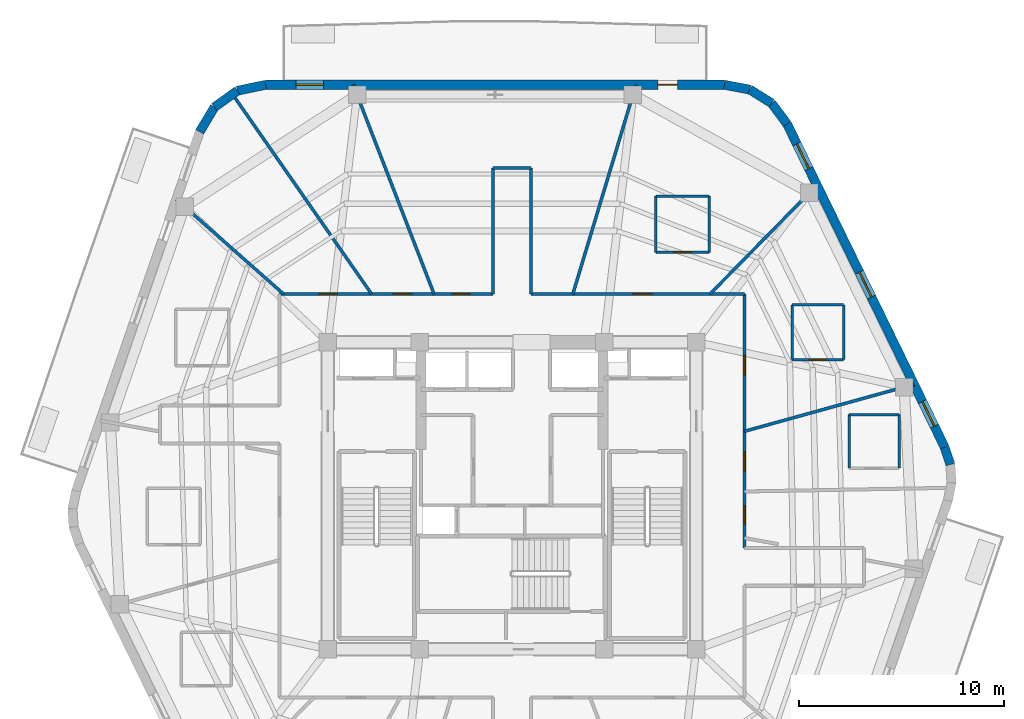
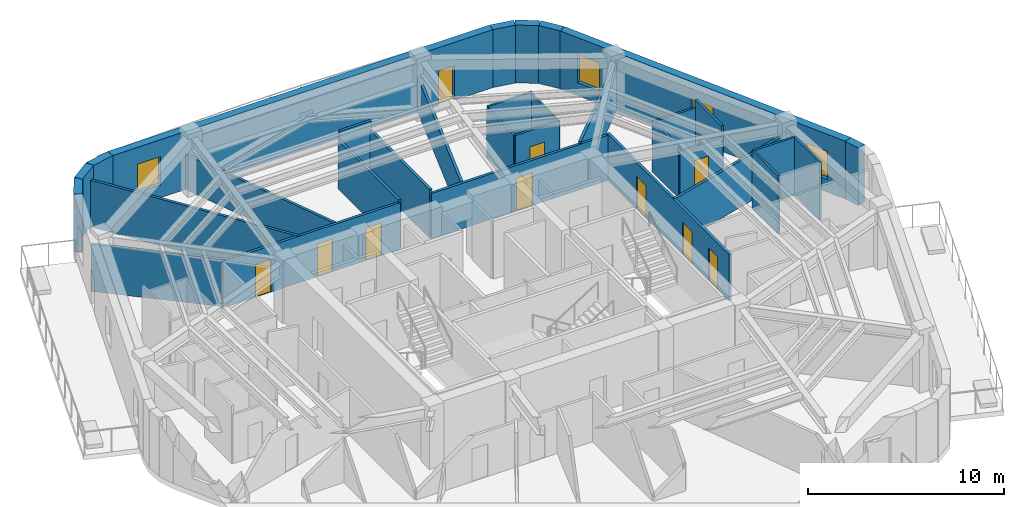
# One storey, part 6 of 9: 32 walls, 10 doors, 4 windows, 14 openings.
"""IFC4 building model written with IfcOpenShell, lengths in metres."""

from ifc_helpers import new_model, si_unit, direction, frame, frame_2d, origin, place, context, subcontext, project, spatial, rectangle, extrude, material, layer, layer_set, type_object, element, fill, save


model = new_model("IFC4")

# Units and contexts
model_context = context("Model", 3, precision=1e-05, world=origin(), true_north=direction((0.0, 1.0)))
body_context = subcontext(model_context, "Body", "Model", "MODEL_VIEW")
ifc_project = project(units=[si_unit("LENGTHUNIT", "METRE"), si_unit("AREAUNIT", "SQUARE_METRE"), si_unit("VOLUMEUNIT", "CUBIC_METRE"), si_unit("PLANEANGLEUNIT", "RADIAN"), si_unit("MASSUNIT", "GRAM", prefix="KILO")], contexts=[model_context])

# Site, building, storey
site_placement = place(None, origin())
site = spatial("IfcSite", under=ifc_project, at=site_placement, CompositionType="ELEMENT")
building_placement = place(site_placement, origin())
building = spatial("IfcBuilding", under=site, at=building_placement, Name="Kilnhurst Terrace Hotel", CompositionType="ELEMENT")
storey_placement = place(building_placement, frame((0.0, 0.0, 297.60009765625)))
storey = spatial("IfcBuildingStorey", under=building, at=storey_placement, Name="L74", CompositionType="ELEMENT", Elevation=297.60009765625)

# Walls
ifc_material_1 = material(Name="Precast concrete C40/50", Category="concrete")
ifc_layer_1 = layer(ifc_material_1, 0.449951171875, Name="Precast concrete C40/50")
ifc_layer_set_1 = layer_set([ifc_layer_1], Name="Precast concrete C40/50")
wall_type_1 = type_object("IfcWallType", Name="WL-BRK-450", PredefinedType="SOLIDWALL", material=ifc_layer_set_1)
wall_1_placement = place(storey_placement, frame((21.422119140625, 1.52197265625, 0.0), z_axis=(0.0, 0.0, 1.0), x_axis=(-0.316964162323, 0.94843751497, 0.0)))
element("IfcWall", 1, at=wall_1_placement, inside=storey, type_object=wall_type_1, Name="L74 Rounded Corner Brick Wall C3.3", PredefinedType="SOLIDWALL", context=body_context, shape_type="SweptSolid", body=[
    extrude(rectangle(XDim=0.89501953125, YDim=0.449951171875, at=frame_2d((0.447509765625, 0.0))), origin(), (0.0, 0.0, 1.0), 3.599853515625),
])
wall_2_placement = place(storey_placement, frame((13.44287109375, 18.159912109375, 0.0), z_axis=(0.0, 0.0, 1.0), x_axis=(-0.597042425808, 0.802209661987, 0.0)))
element("IfcWall", 2, at=wall_2_placement, inside=storey, type_object=wall_type_1, Name="L74 Rounded Corner Brick Wall C4.1", PredefinedType="SOLIDWALL", context=body_context, shape_type="SweptSolid", body=[
    extrude(rectangle(XDim=1.269775390625, YDim=0.449951171875, at=frame_2d((0.634765625, 0.0))), origin(), (0.0, 0.0, 1.0), 3.599853515625),
])
wall_3_placement = place(storey_placement, frame((12.684814453125, 19.178466796875, 0.0), z_axis=(0.0, 0.0, 1.0), x_axis=(-0.848031272749, 0.529946186362, 0.0)))
element("IfcWall", 3, at=wall_3_placement, inside=storey, type_object=wall_type_1, Name="L74 Rounded Corner Brick Wall C4.2", PredefinedType="SOLIDWALL", context=body_context, shape_type="SweptSolid", body=[
    extrude(rectangle(XDim=1.248046875, YDim=0.449951171875, at=frame_2d((0.6240234375, 0.0))), origin(), (0.0, 0.0, 1.0), 3.599853515625),
])
wall_4_placement = place(storey_placement, frame((11.62646484375, 19.83984375, 0.0), z_axis=(0.0, 0.0, 1.0), x_axis=(-0.982701956681, 0.185194126083, 0.0)))
element("IfcWall", 4, at=wall_4_placement, inside=storey, type_object=wall_type_1, Name="L74 Rounded Corner Brick Wall C4.3", PredefinedType="SOLIDWALL", context=body_context, shape_type="SweptSolid", body=[
    extrude(rectangle(XDim=1.26953125, YDim=0.449951171875, at=frame_2d((0.634765625, 0.0))), origin(), (0.0, 0.0, 1.0), 3.599853515625),
])
wall_5_placement = place(storey_placement, frame((-12.038330078125, 20.074951171875, 0.0), z_axis=(0.0, 0.0, 1.0), x_axis=(-0.978750122553, -0.205056571711, 0.0)))
element("IfcWall", 5, at=wall_5_placement, inside=storey, type_object=wall_type_1, Name="L74 Rounded Corner Brick Wall C5.1", PredefinedType="SOLIDWALL", context=body_context, shape_type="SweptSolid", body=[
    extrude(rectangle(XDim=1.406005859375, YDim=0.449951171875, at=frame_2d((0.703125, 0.0))), origin(), (0.0, 0.0, 1.0), 3.599853515625),
])
wall_6_placement = place(storey_placement, frame((-13.41455078125, 19.78662109375, 0.0), z_axis=(0.0, 0.0, 1.0), x_axis=(-0.814055493997, -0.580787097561, 0.0)))
element("IfcWall", 6, at=wall_6_placement, inside=storey, type_object=wall_type_1, Name="L74 Rounded Corner Brick Wall C5.2", PredefinedType="SOLIDWALL", context=body_context, shape_type="SweptSolid", body=[
    extrude(rectangle(XDim=1.382568359375, YDim=0.449951171875, at=frame_2d((0.69140625, 0.0))), origin(), (0.0, 0.0, 1.0), 3.599853515625),
])
wall_7_placement = place(storey_placement, frame((-14.5400390625, 18.983642578125, 0.0), z_axis=(0.0, 0.0, 1.0), x_axis=(-0.512374906623, -0.858761873317, 0.0)))
element("IfcWall", 7, at=wall_7_placement, inside=storey, type_object=wall_type_1, Name="L74 Rounded Corner Brick Wall C5.3", PredefinedType="SOLIDWALL", context=body_context, shape_type="SweptSolid", body=[
    extrude(rectangle(XDim=1.406005859375, YDim=0.449951171875, at=frame_2d((0.703125, 0.0))), origin(), (0.0, 0.0, 1.0), 3.599853515625),
])

# Wall, openings, windows
wall_8_placement = place(storey_placement, frame((21.138427734375, 2.370849609375, 0.0), z_axis=(0.0, 0.0, 1.0), x_axis=(-0.438128124058, 0.89891253574, 0.0)))
wall_8 = element("IfcWall", 8, at=wall_8_placement, inside=storey, type_object=wall_type_1, Name="L74 Exterior Brick Facade Wall F3", PredefinedType="SOLIDWALL", context=body_context, shape_type="SweptSolid", body=[
    extrude(rectangle(XDim=17.564697265625, YDim=0.449951171875, at=frame_2d((8.7822265625, 0.0))), origin(), (0.0, 0.0, 1.0), 3.599853515625),
])
opening_1_placement = place(wall_8_placement, frame((1.133056640625, 0.0, 0.800048828125)))
opening_1 = element("IfcOpeningElement", 9, at=opening_1_placement, cuts=wall_8, Name="Opening W-06", PredefinedType="OPENING", context=body_context, shape_type="SweptSolid", body=[
    extrude(rectangle(XDim=1.35009765625, YDim=1.75, at=frame_2d((0.675048828125, 0.875))), frame((0.0, 0.23486328125, 0.0), z_axis=(0.0, -1.0, 0.0), x_axis=(1.0, 0.0, 0.0)), (0.0, 0.0, 1.0), 0.469970703125),
])
opening_2_placement = place(wall_8_placement, frame((8.157958984375, 0.0, 0.800048828125)))
opening_2 = element("IfcOpeningElement", 10, at=opening_2_placement, cuts=wall_8, Name="Opening W-06", PredefinedType="OPENING", context=body_context, shape_type="SweptSolid", body=[
    extrude(rectangle(XDim=1.35009765625, YDim=1.75, at=frame_2d((0.675048828125, 0.875))), frame((0.0, 0.23486328125, 0.0), z_axis=(0.0, -1.0, 0.0), x_axis=(1.0, 0.0, 0.0)), (0.0, 0.0, 1.0), 0.469970703125),
])
opening_3_placement = place(wall_8_placement, frame((15.132080078125, 0.0, 0.800048828125)))
opening_3 = element("IfcOpeningElement", 11, at=opening_3_placement, cuts=wall_8, Name="Opening W-06", PredefinedType="OPENING", context=body_context, shape_type="SweptSolid", body=[
    extrude(rectangle(XDim=1.35009765625, YDim=1.75, at=frame_2d((0.675048828125, 0.875))), frame((0.0, 0.23486328125, 0.0), z_axis=(0.0, -1.0, 0.0), x_axis=(1.0, 0.0, 0.0)), (0.0, 0.0, 1.0), 0.469970703125),
])
ifc_material_2 = material(Name="Thermally Broken Bronze Aluminium Alloy 6063-T6 and Low-E Glass", Category="aluminium")
window_type = type_object("IfcWindowType", Name="WIN-1350X1750", PartitioningType="SINGLE_PANEL", PredefinedType="WINDOW", material=ifc_material_2)
window_1_placement = place(opening_1_placement, origin())
window_1 = element("IfcWindow", 12, at=window_1_placement, inside=storey, type_object=window_type, Name="L74 Deep-Set Masonry Window F3.1", OverallHeight=1.75, OverallWidth=1.35009765625, PartitioningType="SINGLE_PANEL", PredefinedType="WINDOW", context=body_context, shape_type="SweptSolid", body=[
    extrude(rectangle(XDim=1.35009765625, YDim=1.75, at=frame_2d((0.675048828125, 0.875))), frame((0.0, 0.030029296875, 0.0), z_axis=(0.0, -1.0, 0.0), x_axis=(1.0, 0.0, 0.0)), (0.0, 0.0, 1.0), 0.06005859375),
])
fill(opening_1, window_1)
window_2_placement = place(opening_2_placement, origin())
window_2 = element("IfcWindow", 13, at=window_2_placement, inside=storey, type_object=window_type, Name="L74 Deep-Set Masonry Window F3.2", OverallHeight=1.75, OverallWidth=1.35009765625, PartitioningType="SINGLE_PANEL", PredefinedType="WINDOW", context=body_context, shape_type="SweptSolid", body=[
    extrude(rectangle(XDim=1.35009765625, YDim=1.75, at=frame_2d((0.675048828125, 0.875))), frame((0.0, 0.030029296875, 0.0), z_axis=(0.0, -1.0, 0.0), x_axis=(1.0, 0.0, 0.0)), (0.0, 0.0, 1.0), 0.06005859375),
])
fill(opening_2, window_2)
window_3_placement = place(opening_3_placement, origin())
window_3 = element("IfcWindow", 14, at=window_3_placement, inside=storey, type_object=window_type, Name="L74 Deep-Set Masonry Window F3.3", OverallHeight=1.75, OverallWidth=1.35009765625, PartitioningType="SINGLE_PANEL", PredefinedType="WINDOW", context=body_context, shape_type="SweptSolid", body=[
    extrude(rectangle(XDim=1.35009765625, YDim=1.75, at=frame_2d((0.675048828125, 0.875))), frame((0.0, 0.030029296875, 0.0), z_axis=(0.0, -1.0, 0.0), x_axis=(1.0, 0.0, 0.0)), (0.0, 0.0, 1.0), 0.06005859375),
])
fill(opening_3, window_3)

# Wall, openings, door, window
wall_9_placement = place(storey_placement, frame((10.37890625, 20.074951171875, 0.0), z_axis=(0.0, 0.0, 1.0), x_axis=(-1.0, 0.0, 0.0)))
wall_9 = element("IfcWall", 15, at=wall_9_placement, inside=storey, type_object=wall_type_1, Name="L74 Exterior Brick Facade Wall F4", PredefinedType="SOLIDWALL", context=body_context, shape_type="SweptSolid", body=[
    extrude(rectangle(XDim=22.417236328125, YDim=0.449951171875, at=frame_2d((11.20849609375, 0.0))), origin(), (0.0, 0.0, 1.0), 3.599853515625),
])
opening_4_placement = place(wall_9_placement, frame((2.302001953125, 0.0, 0.0)))
opening_4 = element("IfcOpeningElement", 16, at=opening_4_placement, cuts=wall_9, Name="Opening BD-950", PredefinedType="OPENING", context=body_context, shape_type="SweptSolid", body=[
    extrude(rectangle(XDim=0.949951171875, YDim=2.14990234375, at=frame_2d((0.47509765625, 1.074951171875))), frame((0.0, 0.23486328125, 0.0), z_axis=(0.0, -1.0, 0.0), x_axis=(1.0, 0.0, 0.0)), (0.0, 0.0, 1.0), 0.469970703125),
])
opening_5_placement = place(wall_9_placement, frame((19.5869140625, 0.0, 0.800048828125)))
opening_5 = element("IfcOpeningElement", 17, at=opening_5_placement, cuts=wall_9, Name="Opening W-06", PredefinedType="OPENING", context=body_context, shape_type="SweptSolid", body=[
    extrude(rectangle(XDim=1.35009765625, YDim=1.75, at=frame_2d((0.675048828125, 0.875))), frame((0.0, 0.23486328125, 0.0), z_axis=(0.0, -1.0, 0.0), x_axis=(1.0, 0.0, 0.0)), (0.0, 0.0, 1.0), 0.469970703125),
])
ifc_material_3 = material(Name="Thermally Broken Bronze Aluminium Alloy 6063-T6 and Laminated Glass", Category="aluminium")
door_type_1 = type_object("IfcDoorType", Name="DR-EXT-BAL-950", OperationType="NOTDEFINED", PredefinedType="DOOR", material=ifc_material_3)
door_1_placement = place(opening_4_placement, origin())
door_1 = element("IfcDoor", 18, at=door_1_placement, inside=storey, type_object=door_type_1, Name="L74 Planted Balcony Door BAL-L2A", OperationType="SINGLE_SWING_RIGHT", OverallHeight=2.14990234375, OverallWidth=0.949951171875, PredefinedType="DOOR", context=body_context, shape_type="SweptSolid", body=[
    extrude(rectangle(XDim=0.949951171875, YDim=2.14990234375, at=frame_2d((0.47509765625, 1.074951171875))), frame((0.0, 0.02490234375, 0.0), z_axis=(0.0, -1.0, 0.0), x_axis=(1.0, 0.0, 0.0)), (0.0, 0.0, 1.0), 0.050048828125),
])
fill(opening_4, door_1)
window_4_placement = place(opening_5_placement, origin())
window_4 = element("IfcWindow", 19, at=window_4_placement, inside=storey, type_object=window_type, Name="L74 Deep-Set Masonry Window F4.1", OverallHeight=1.75, OverallWidth=1.35009765625, PartitioningType="SINGLE_PANEL", PredefinedType="WINDOW", context=body_context, shape_type="SweptSolid", body=[
    extrude(rectangle(XDim=1.35009765625, YDim=1.75, at=frame_2d((0.675048828125, 0.875))), frame((0.0, 0.030029296875, 0.0), z_axis=(0.0, -1.0, 0.0), x_axis=(1.0, 0.0, 0.0)), (0.0, 0.0, 1.0), 0.06005859375),
])
fill(opening_5, window_4)

# Wall, openings, doors
ifc_material_4 = material(Name="Acoustic Double-Gypsum Corridor Partition Assembly")
ifc_layer_2 = layer(ifc_material_4, 0.14990234375, Name="Acoustic Double-Gypsum Corridor Partition Assembly")
ifc_layer_set_2 = layer_set([ifc_layer_2], Name="Acoustic Double-Gypsum Corridor Partition Assembly")
wall_type_2 = type_object("IfcWallType", Name="WL-COR-150", PredefinedType="PARTITIONING", material=ifc_layer_set_2)
wall_10_placement = place(storey_placement, frame((-11.35009765625, 9.85009765625, 0.0), z_axis=(0.0, 0.0, 1.0), x_axis=(1.0, 0.0, 0.0)))
wall_10 = element("IfcWall", 20, at=wall_10_placement, inside=storey, type_object=wall_type_2, Name="L74 Interior Wall WL-L74-COR-06", PredefinedType="PARTITIONING", context=body_context, shape_type="SweptSolid", body=[
    extrude(rectangle(XDim=10.43017578125, YDim=0.14990234375, at=frame_2d((5.215087890625, 0.0))), origin(), (0.0, 0.0, 1.0), 2.89404296875),
])
opening_6_placement = place(wall_10_placement, frame((8.406982421875, 0.0, 0.0)))
opening_6 = element("IfcOpeningElement", 21, at=opening_6_placement, cuts=wall_10, Name="Opening D-60C", PredefinedType="OPENING", context=body_context, shape_type="SweptSolid", body=[
    extrude(rectangle(XDim=0.89990234375, YDim=2.030029296875, at=frame_2d((0.449951171875, 1.01513671875))), frame((0.0, 0.0849609375, 0.0), z_axis=(0.0, -1.0, 0.0), x_axis=(1.0, 0.0, 0.0)), (0.0, 0.0, 1.0), 0.169921875),
])
opening_7_placement = place(wall_10_placement, frame((5.541015625, 0.0, 0.0)))
opening_7 = element("IfcOpeningElement", 22, at=opening_7_placement, cuts=wall_10, Name="Opening D-60C", PredefinedType="OPENING", context=body_context, shape_type="SweptSolid", body=[
    extrude(rectangle(XDim=0.89990234375, YDim=2.030029296875, at=frame_2d((0.449951171875, 1.01513671875))), frame((0.0, 0.0849609375, 0.0), z_axis=(0.0, -1.0, 0.0), x_axis=(1.0, 0.0, 0.0)), (0.0, 0.0, 1.0), 0.169921875),
])
opening_8_placement = place(wall_10_placement, frame((1.916015625, 0.0, 0.0)))
opening_8 = element("IfcOpeningElement", 23, at=opening_8_placement, cuts=wall_10, Name="Opening D-60C", PredefinedType="OPENING", context=body_context, shape_type="SweptSolid", body=[
    extrude(rectangle(XDim=0.89990234375, YDim=2.030029296875, at=frame_2d((0.449951171875, 1.01513671875))), frame((0.0, 0.0849609375, 0.0), z_axis=(0.0, -1.0, 0.0), x_axis=(1.0, 0.0, 0.0)), (0.0, 0.0, 1.0), 0.169921875),
])
ifc_material_5 = material(Name="Painted Solid-Core Service Fire Door")
door_type_2 = type_object("IfcDoorType", Name="DR-FD60-900", OperationType="NOTDEFINED", PredefinedType="DOOR", material=ifc_material_5)
door_2_placement = place(opening_6_placement, origin())
door_2 = element("IfcDoor", 24, at=door_2_placement, inside=storey, type_object=door_type_2, Name="L74 Executive Work Office Door 4", OperationType="SINGLE_SWING_RIGHT", OverallHeight=2.030029296875, OverallWidth=0.89990234375, PredefinedType="DOOR", context=body_context, shape_type="SweptSolid", body=[
    extrude(rectangle(XDim=0.89990234375, YDim=2.030029296875, at=frame_2d((0.449951171875, 1.01513671875))), frame((0.0, 0.02490234375, 0.0), z_axis=(0.0, -1.0, 0.0), x_axis=(1.0, 0.0, 0.0)), (0.0, 0.0, 1.0), 0.050048828125),
])
fill(opening_6, door_2)
door_3_placement = place(opening_7_placement, origin())
door_3 = element("IfcDoor", 25, at=door_3_placement, inside=storey, type_object=door_type_2, Name="L74 Executive Work Office Door 5", OperationType="SINGLE_SWING_LEFT", OverallHeight=2.030029296875, OverallWidth=0.89990234375, PredefinedType="DOOR", context=body_context, shape_type="SweptSolid", body=[
    extrude(rectangle(XDim=0.89990234375, YDim=2.030029296875, at=frame_2d((0.449951171875, 1.01513671875))), frame((0.0, 0.02490234375, 0.0), z_axis=(0.0, -1.0, 0.0), x_axis=(1.0, 0.0, 0.0)), (0.0, 0.0, 1.0), 0.050048828125),
])
fill(opening_7, door_3)
door_4_placement = place(opening_8_placement, origin())
door_4 = element("IfcDoor", 26, at=door_4_placement, inside=storey, type_object=door_type_2, Name="L74 Botanical Reading Lounge Door 6", OperationType="SINGLE_SWING_RIGHT", OverallHeight=2.030029296875, OverallWidth=0.89990234375, PredefinedType="DOOR", context=body_context, shape_type="SweptSolid", body=[
    extrude(rectangle(XDim=0.89990234375, YDim=2.030029296875, at=frame_2d((0.449951171875, 1.01513671875))), frame((0.0, 0.02490234375, 0.0), z_axis=(0.0, -1.0, 0.0), x_axis=(1.0, 0.0, 0.0)), (0.0, 0.0, 1.0), 0.050048828125),
])
fill(opening_8, door_4)

# Walls
wall_11_placement = place(storey_placement, frame((-0.919921875, 9.85009765625, 0.0), z_axis=(0.0, 0.0, 1.0), x_axis=(0.0, 1.0, 0.0)))
element("IfcWall", 27, at=wall_11_placement, inside=storey, type_object=wall_type_2, Name="L74 Interior Wall WL-L74-COR-07", PredefinedType="PARTITIONING", context=body_context, shape_type="SweptSolid", body=[
    extrude(rectangle(XDim=6.14990234375, YDim=0.14990234375, at=frame_2d((3.074951171875, 0.0))), origin(), (0.0, 0.0, 1.0), 3.040283203125),
])
wall_12_placement = place(storey_placement, frame((-0.919921875, 16.0, 0.0), z_axis=(0.0, 0.0, 1.0), x_axis=(1.0, 0.0, 0.0)))
element("IfcWall", 28, at=wall_12_placement, inside=storey, type_object=wall_type_2, Name="L74 Interior Wall WL-L74-COR-08", PredefinedType="PARTITIONING", context=body_context, shape_type="SweptSolid", body=[
    extrude(rectangle(XDim=1.83984375, YDim=0.14990234375, at=frame_2d((0.919921875, 0.0))), origin(), (0.0, 0.0, 1.0), 3.599853515625),
])
wall_13_placement = place(storey_placement, frame((0.919921875, 16.0, 0.0), z_axis=(0.0, 0.0, 1.0), x_axis=(0.0, -1.0, 0.0)))
element("IfcWall", 29, at=wall_13_placement, inside=storey, type_object=wall_type_2, Name="L74 Interior Wall WL-L74-COR-09", PredefinedType="PARTITIONING", context=body_context, shape_type="SweptSolid", body=[
    extrude(rectangle(XDim=6.14990234375, YDim=0.14990234375, at=frame_2d((3.074951171875, 0.0))), origin(), (0.0, 0.0, 1.0), 3.040283203125),
])

# Wall, opening, door
wall_14_placement = place(storey_placement, frame((0.919921875, 9.85009765625, 0.0), z_axis=(0.0, 0.0, 1.0), x_axis=(1.0, 0.0, 0.0)))
wall_14 = element("IfcWall", 30, at=wall_14_placement, inside=storey, type_object=wall_type_2, Name="L74 Interior Wall WL-L74-COR-10", PredefinedType="PARTITIONING", context=body_context, shape_type="SweptSolid", body=[
    extrude(rectangle(XDim=10.43017578125, YDim=0.14990234375, at=frame_2d((5.215087890625, 0.0))), origin(), (0.0, 0.0, 1.0), 2.81640625),
])
opening_9_placement = place(wall_14_placement, frame((4.97509765625, 0.0, 0.0)))
opening_9 = element("IfcOpeningElement", 31, at=opening_9_placement, cuts=wall_14, Name="Opening D-60B", PredefinedType="OPENING", context=body_context, shape_type="SweptSolid", body=[
    extrude(rectangle(XDim=0.949951171875, YDim=2.030029296875, at=frame_2d((0.47509765625, 1.01513671875))), frame((0.0, 0.0849609375, 0.0), z_axis=(0.0, -1.0, 0.0), x_axis=(1.0, 0.0, 0.0)), (0.0, 0.0, 1.0), 0.169921875),
])
ifc_material_6 = material(Name="Acoustic Walnut Veneer Solid-Core Fire Door")
door_type_3 = type_object("IfcDoorType", Name="DR-FD60-950", OperationType="NOTDEFINED", PredefinedType="DOOR", material=ifc_material_6)
door_5_placement = place(opening_9_placement, origin())
door_5 = element("IfcDoor", 32, at=door_5_placement, inside=storey, type_object=door_type_3, Name="L74 Executive Suite Entry Door 3", OperationType="SINGLE_SWING_LEFT", OverallHeight=2.030029296875, OverallWidth=0.949951171875, PredefinedType="DOOR", context=body_context, shape_type="SweptSolid", body=[
    extrude(rectangle(XDim=0.949951171875, YDim=2.030029296875, at=frame_2d((0.47509765625, 1.01513671875))), frame((0.0, 0.02490234375, 0.0), z_axis=(0.0, -1.0, 0.0), x_axis=(1.0, 0.0, 0.0)), (0.0, 0.0, 1.0), 0.050048828125),
])
fill(opening_9, door_5)

# Wall, openings, doors
wall_15_placement = place(storey_placement, frame((11.35009765625, 9.85009765625, 0.0), z_axis=(0.0, 0.0, 1.0), x_axis=(0.0, -1.0, 0.0)))
wall_15 = element("IfcWall", 33, at=wall_15_placement, inside=storey, type_object=wall_type_2, Name="L74 Interior Wall WL-L74-COR-11", PredefinedType="PARTITIONING", context=body_context, shape_type="SweptSolid", body=[
    extrude(rectangle(XDim=12.400146484375, YDim=0.14990234375, at=frame_2d((6.2001953125, 0.0))), origin(), (0.0, 0.0, 1.0), 2.89404296875),
])
opening_10_placement = place(wall_15_placement, frame((7.697021484375, 0.0, 0.0)))
opening_10 = element("IfcOpeningElement", 34, at=opening_10_placement, cuts=wall_15, Name="Opening D-60B", PredefinedType="OPENING", context=body_context, shape_type="SweptSolid", body=[
    extrude(rectangle(XDim=0.949951171875, YDim=2.030029296875, at=frame_2d((0.47509765625, 1.01513671875))), frame((0.0, 0.0849609375, 0.0), z_axis=(0.0, -1.0, 0.0), x_axis=(1.0, 0.0, 0.0)), (0.0, 0.0, 1.0), 0.169921875),
])
opening_11_placement = place(wall_15_placement, frame((2.998046875, 0.0, 0.0)))
opening_11 = element("IfcOpeningElement", 35, at=opening_11_placement, cuts=wall_15, Name="Opening D-60B", PredefinedType="OPENING", context=body_context, shape_type="SweptSolid", body=[
    extrude(rectangle(XDim=0.949951171875, YDim=2.030029296875, at=frame_2d((0.47509765625, 1.01513671875))), frame((0.0, 0.0849609375, 0.0), z_axis=(0.0, -1.0, 0.0), x_axis=(1.0, 0.0, 0.0)), (0.0, 0.0, 1.0), 0.169921875),
])
opening_12_placement = place(wall_15_placement, frame((10.3330078125, 0.0, 0.0)))
opening_12 = element("IfcOpeningElement", 36, at=opening_12_placement, cuts=wall_15, Name="Opening D-60C", PredefinedType="OPENING", context=body_context, shape_type="SweptSolid", body=[
    extrude(rectangle(XDim=0.89990234375, YDim=2.030029296875, at=frame_2d((0.449951171875, 1.01513671875))), frame((0.0, 0.0849609375, 0.0), z_axis=(0.0, -1.0, 0.0), x_axis=(1.0, 0.0, 0.0)), (0.0, 0.0, 1.0), 0.169921875),
])
door_6_placement = place(opening_12_placement, origin())
door_6 = element("IfcDoor", 37, at=door_6_placement, inside=storey, type_object=door_type_2, Name="L74 Private Tasting Dining Room Door 15", OperationType="SINGLE_SWING_LEFT", OverallHeight=2.030029296875, OverallWidth=0.89990234375, PredefinedType="DOOR", context=body_context, shape_type="SweptSolid", body=[
    extrude(rectangle(XDim=0.89990234375, YDim=2.030029296875, at=frame_2d((0.449951171875, 1.01513671875))), frame((0.0, 0.02490234375, 0.0), z_axis=(0.0, -1.0, 0.0), x_axis=(1.0, 0.0, 0.0)), (0.0, 0.0, 1.0), 0.050048828125),
])
fill(opening_12, door_6)
door_7_placement = place(opening_10_placement, origin())
door_7 = element("IfcDoor", 38, at=door_7_placement, inside=storey, type_object=door_type_3, Name="L74 Guest Room Entry Door 1", OperationType="SINGLE_SWING_LEFT", OverallHeight=2.030029296875, OverallWidth=0.949951171875, PredefinedType="DOOR", context=body_context, shape_type="SweptSolid", body=[
    extrude(rectangle(XDim=0.949951171875, YDim=2.030029296875, at=frame_2d((0.47509765625, 1.01513671875))), frame((0.0, 0.02490234375, 0.0), z_axis=(0.0, -1.0, 0.0), x_axis=(1.0, 0.0, 0.0)), (0.0, 0.0, 1.0), 0.050048828125),
])
fill(opening_10, door_7)
door_8_placement = place(opening_11_placement, origin())
door_8 = element("IfcDoor", 39, at=door_8_placement, inside=storey, type_object=door_type_3, Name="L74 Executive Suite Entry Door 2", OperationType="SINGLE_SWING_RIGHT", OverallHeight=2.030029296875, OverallWidth=0.949951171875, PredefinedType="DOOR", context=body_context, shape_type="SweptSolid", body=[
    extrude(rectangle(XDim=0.949951171875, YDim=2.030029296875, at=frame_2d((0.47509765625, 1.01513671875))), frame((0.0, 0.02490234375, 0.0), z_axis=(0.0, -1.0, 0.0), x_axis=(1.0, 0.0, 0.0)), (0.0, 0.0, 1.0), 0.050048828125),
])
fill(opening_11, door_8)

# Walls
ifc_material_7 = material(Name="STC-58 Acoustic Twin-Frame Guestroom Demising Partition")
ifc_layer_3 = layer(ifc_material_7, 0.14990234375, Name="STC-58 Acoustic Twin-Frame Guestroom Demising Partition")
ifc_layer_set_3 = layer_set([ifc_layer_3], Name="STC-58 Acoustic Twin-Frame Guestroom Demising Partition")
wall_type_3 = type_object("IfcWallType", Name="WL-DEM-150", PredefinedType="PARTITIONING", material=ifc_layer_set_3)
wall_16_placement = place(storey_placement, frame((11.35009765625, 3.142822265625, 0.0), z_axis=(0.0, 0.0, 1.0), x_axis=(0.963731818141, 0.266872596386, 0.0)))
element("IfcWall", 40, at=wall_16_placement, inside=storey, type_object=wall_type_3, Name="L74 Interior Wall WL-L74-DEM-COL01-02-1", PredefinedType="PARTITIONING", context=body_context, shape_type="SweptSolid", body=[
    extrude(rectangle(XDim=8.604736328125, YDim=0.14990234375, at=frame_2d((4.30224609375, 0.0))), origin(), (0.0, 0.0, 1.0), 2.89404296875),
])
wall_17_placement = place(storey_placement, frame((9.67236328125, 9.85009765625, 0.0), z_axis=(0.0, 0.0, 1.0), x_axis=(0.700629771301, 0.713524998558, 0.0)))
element("IfcWall", 41, at=wall_17_placement, inside=storey, type_object=wall_type_3, Name="L74 Interior Wall WL-L74-DEM-COL02-03-1", PredefinedType="PARTITIONING", context=body_context, shape_type="SweptSolid", body=[
    extrude(rectangle(XDim=7.45947265625, YDim=0.14990234375, at=frame_2d((3.729736328125, 0.0))), origin(), (0.0, 0.0, 1.0), 2.93994140625),
])
wall_18_placement = place(storey_placement, frame((2.97216796875, 9.85009765625, 0.0), z_axis=(0.0, 0.0, 1.0), x_axis=(0.288872169679, 0.957367677324, 0.0)))
element("IfcWall", 42, at=wall_18_placement, inside=storey, type_object=wall_type_3, Name="L74 Interior Wall WL-L74-DEM-COL03-04-1", PredefinedType="PARTITIONING", context=body_context, shape_type="SweptSolid", body=[
    extrude(rectangle(XDim=10.68017578125, YDim=0.14990234375, at=frame_2d((5.340087890625, 0.0))), origin(), (0.0, 0.0, 1.0), 2.18994140625),
])
wall_19_placement = place(storey_placement, frame((-3.8076171875, 9.85009765625, 0.0), z_axis=(0.0, 0.0, 1.0), x_axis=(-0.360587327934, 0.932725457427, 0.0)))
element("IfcWall", 43, at=wall_19_placement, inside=storey, type_object=wall_type_3, Name="L74 Interior Wall WL-L74-DEM-COL04-05-1", PredefinedType="PARTITIONING", context=body_context, shape_type="SweptSolid", body=[
    extrude(rectangle(XDim=10.96240234375, YDim=0.14990234375, at=frame_2d((5.481201171875, 0.0))), origin(), (0.0, 0.0, 1.0), 2.18994140625),
])
wall_20_placement = place(storey_placement, frame((-6.858154296875, 9.85009765625, 0.0), z_axis=(0.0, 0.0, 1.0), x_axis=(-0.571391702066, 0.820677477948, 0.0)))
element("IfcWall", 44, at=wall_20_placement, inside=storey, type_object=wall_type_3, Name="L74 Interior Wall WL-L74-DEM-MID04-06-1", PredefinedType="PARTITIONING", context=body_context, shape_type="SweptSolid", body=[
    extrude(rectangle(XDim=11.737548828125, YDim=0.14990234375, at=frame_2d((5.86865234375, 0.0))), origin(), (0.0, 0.0, 1.0), 2.89404296875),
])
wall_21_placement = place(storey_placement, frame((-11.1572265625, 9.85009765625, 0.0), z_axis=(0.0, 0.0, 1.0), x_axis=(-0.74966962095, 0.661812253909, 0.0)))
element("IfcWall", 45, at=wall_21_placement, inside=storey, type_object=wall_type_3, Name="L74 Interior Wall WL-L74-DEM-COL05-07-1", PredefinedType="PARTITIONING", context=body_context, shape_type="SweptSolid", body=[
    extrude(rectangle(XDim=6.98876953125, YDim=0.14990234375, at=frame_2d((3.494384765625, 0.0))), origin(), (0.0, 0.0, 1.0), 2.93994140625),
])
ifc_material_8 = material(Name="120 mm Moisture-Resistant Tile-Backed Bathroom Partition")
ifc_layer_4 = layer(ifc_material_8, 0.1201171875, Name="120 mm Moisture-Resistant Tile-Backed Bathroom Partition")
ifc_layer_set_4 = layer_set([ifc_layer_4], Name="120 mm Moisture-Resistant Tile-Backed Bathroom Partition")
wall_type_4 = type_object("IfcWallType", Name="WL-PART-120", PredefinedType="PARTITIONING", material=ifc_layer_set_4)
wall_22_placement = place(storey_placement, frame((18.910888671875, 1.34912109375, 0.0), z_axis=(0.0, 0.0, 1.0), x_axis=(0.0, 1.0, 0.0)))
element("IfcWall", 46, at=wall_22_placement, inside=storey, type_object=wall_type_4, Name="L74 Interior Wall WL-L74-BTH-01-2", PredefinedType="PARTITIONING", context=body_context, shape_type="SweptSolid", body=[
    extrude(rectangle(XDim=2.60986328125, YDim=0.1201171875, at=frame_2d((1.304931640625, 0.0))), origin(), (0.0, 0.0, 1.0), 3.599853515625),
])
wall_23_placement = place(storey_placement, frame((18.910888671875, 3.958984375, 0.0), z_axis=(0.0, 0.0, 1.0), x_axis=(-1.0, 0.0, 0.0)))
element("IfcWall", 47, at=wall_23_placement, inside=storey, type_object=wall_type_4, Name="L74 Interior Wall WL-L74-BTH-01-3", PredefinedType="PARTITIONING", context=body_context, shape_type="SweptSolid", body=[
    extrude(rectangle(XDim=2.43994140625, YDim=0.1201171875, at=frame_2d((1.219970703125, 0.0))), origin(), (0.0, 0.0, 1.0), 3.599853515625),
])
wall_24_placement = place(storey_placement, frame((16.470947265625, 3.958984375, 0.0), z_axis=(0.0, 0.0, 1.0), x_axis=(0.0, -1.0, 0.0)))
element("IfcWall", 48, at=wall_24_placement, inside=storey, type_object=wall_type_4, Name="L74 Interior Wall WL-L74-BTH-01-4", PredefinedType="PARTITIONING", context=body_context, shape_type="SweptSolid", body=[
    extrude(rectangle(XDim=2.60986328125, YDim=0.1201171875, at=frame_2d((1.304931640625, 0.0))), origin(), (0.0, 0.0, 1.0), 3.599853515625),
])

# Wall, opening, door
wall_25_placement = place(storey_placement, frame((13.68310546875, 6.64208984375, 0.0), z_axis=(0.0, 0.0, 1.0), x_axis=(1.0, 0.0, 0.0)))
wall_25 = element("IfcWall", 49, at=wall_25_placement, inside=storey, type_object=wall_type_4, Name="L74 Interior Wall WL-L74-BTH-02-1", PredefinedType="PARTITIONING", context=body_context, shape_type="SweptSolid", body=[
    extrude(rectangle(XDim=2.519775390625, YDim=0.1201171875, at=frame_2d((1.259765625, 0.0))), origin(), (0.0, 0.0, 1.0), 2.89404296875),
])
opening_13_placement = place(wall_25_placement, frame((0.8349609375, 0.0, 0.0)))
opening_13 = element("IfcOpeningElement", 50, at=opening_13_placement, cuts=wall_25, Name="Opening D-08A", PredefinedType="OPENING", context=body_context, shape_type="SweptSolid", body=[
    extrude(rectangle(XDim=0.85009765625, YDim=2.030029296875, at=frame_2d((0.425048828125, 1.01513671875))), frame((0.0, 0.070068359375, 0.0), z_axis=(0.0, -1.0, 0.0), x_axis=(1.0, 0.0, 0.0)), (0.0, 0.0, 1.0), 0.14013671875),
])
ifc_material_9 = material(Name="Moisture-Resistant Lacquered En-suite Bathroom Door")
door_type_4 = type_object("IfcDoorType", Name="DR-INT-850", OperationType="NOTDEFINED", PredefinedType="DOOR", material=ifc_material_9)
door_9_placement = place(opening_13_placement, origin())
door_9 = element("IfcDoor", 51, at=door_9_placement, inside=storey, type_object=door_type_4, Name="L74 En-suite Bathroom Door 2", OperationType="SINGLE_SWING_LEFT", OverallHeight=2.030029296875, OverallWidth=0.85009765625, PredefinedType="DOOR", context=body_context, shape_type="SweptSolid", body=[
    extrude(rectangle(XDim=0.85009765625, YDim=2.030029296875, at=frame_2d((0.425048828125, 1.01513671875))), frame((0.0, 0.02490234375, 0.0), z_axis=(0.0, -1.0, 0.0), x_axis=(1.0, 0.0, 0.0)), (0.0, 0.0, 1.0), 0.050048828125),
])
fill(opening_13, door_9)

# Walls
wall_26_placement = place(storey_placement, frame((16.202880859375, 6.64208984375, 0.0), z_axis=(0.0, 0.0, 1.0), x_axis=(0.0, 1.0, 0.0)))
element("IfcWall", 52, at=wall_26_placement, inside=storey, type_object=wall_type_4, Name="L74 Interior Wall WL-L74-BTH-02-2", PredefinedType="PARTITIONING", context=body_context, shape_type="SweptSolid", body=[
    extrude(rectangle(XDim=2.679931640625, YDim=0.1201171875, at=frame_2d((1.33984375, 0.0))), origin(), (0.0, 0.0, 1.0), 3.599853515625),
])
wall_27_placement = place(storey_placement, frame((16.202880859375, 9.322021484375, 0.0), z_axis=(0.0, 0.0, 1.0), x_axis=(-1.0, 0.0, 0.0)))
element("IfcWall", 53, at=wall_27_placement, inside=storey, type_object=wall_type_4, Name="L74 Interior Wall WL-L74-BTH-02-3", PredefinedType="PARTITIONING", context=body_context, shape_type="SweptSolid", body=[
    extrude(rectangle(XDim=2.519775390625, YDim=0.1201171875, at=frame_2d((1.259765625, 0.0))), origin(), (0.0, 0.0, 1.0), 3.12646484375),
])
wall_28_placement = place(storey_placement, frame((13.68310546875, 9.322021484375, 0.0), z_axis=(0.0, 0.0, 1.0), x_axis=(0.0, -1.0, 0.0)))
element("IfcWall", 54, at=wall_28_placement, inside=storey, type_object=wall_type_4, Name="L74 Interior Wall WL-L74-BTH-02-4", PredefinedType="PARTITIONING", context=body_context, shape_type="SweptSolid", body=[
    extrude(rectangle(XDim=2.679931640625, YDim=0.1201171875, at=frame_2d((1.33984375, 0.0))), origin(), (0.0, 0.0, 1.0), 3.17236328125),
])

# Wall, opening, door
wall_29_placement = place(storey_placement, frame((7.02587890625, 11.889892578125, 0.0), z_axis=(0.0, 0.0, 1.0), x_axis=(1.0, 0.0, 0.0)))
wall_29 = element("IfcWall", 55, at=wall_29_placement, inside=storey, type_object=wall_type_4, Name="L74 Interior Wall WL-L74-BTH-03-1", PredefinedType="PARTITIONING", context=body_context, shape_type="SweptSolid", body=[
    extrude(rectangle(XDim=2.60009765625, YDim=0.1201171875, at=frame_2d((1.300048828125, 0.0))), origin(), (0.0, 0.0, 1.0), 3.040283203125),
])
opening_14_placement = place(wall_29_placement, frame((0.875, 0.0, 0.0)))
opening_14 = element("IfcOpeningElement", 56, at=opening_14_placement, cuts=wall_29, Name="Opening D-08A", PredefinedType="OPENING", context=body_context, shape_type="SweptSolid", body=[
    extrude(rectangle(XDim=0.85009765625, YDim=2.030029296875, at=frame_2d((0.425048828125, 1.01513671875))), frame((0.0, 0.070068359375, 0.0), z_axis=(0.0, -1.0, 0.0), x_axis=(1.0, 0.0, 0.0)), (0.0, 0.0, 1.0), 0.14013671875),
])
door_10_placement = place(opening_14_placement, origin())
door_10 = element("IfcDoor", 57, at=door_10_placement, inside=storey, type_object=door_type_4, Name="L74 En-suite Bathroom Door 3", OperationType="SINGLE_SWING_RIGHT", OverallHeight=2.030029296875, OverallWidth=0.85009765625, PredefinedType="DOOR", context=body_context, shape_type="SweptSolid", body=[
    extrude(rectangle(XDim=0.85009765625, YDim=2.030029296875, at=frame_2d((0.425048828125, 1.01513671875))), frame((0.0, 0.02490234375, 0.0), z_axis=(0.0, -1.0, 0.0), x_axis=(1.0, 0.0, 0.0)), (0.0, 0.0, 1.0), 0.050048828125),
])
fill(opening_14, door_10)

# Walls
wall_30_placement = place(storey_placement, frame((9.6259765625, 11.889892578125, 0.0), z_axis=(0.0, 0.0, 1.0), x_axis=(0.0, 1.0, 0.0)))
element("IfcWall", 58, at=wall_30_placement, inside=storey, type_object=wall_type_4, Name="L74 Interior Wall WL-L74-BTH-03-2", PredefinedType="PARTITIONING", context=body_context, shape_type="SweptSolid", body=[
    extrude(rectangle(XDim=2.75, YDim=0.1201171875, at=frame_2d((1.375, 0.0))), origin(), (0.0, 0.0, 1.0), 3.040283203125),
])
wall_31_placement = place(storey_placement, frame((9.6259765625, 14.639892578125, 0.0), z_axis=(0.0, 0.0, 1.0), x_axis=(-1.0, 0.0, 0.0)))
element("IfcWall", 59, at=wall_31_placement, inside=storey, type_object=wall_type_4, Name="L74 Interior Wall WL-L74-BTH-03-3", PredefinedType="PARTITIONING", context=body_context, shape_type="SweptSolid", body=[
    extrude(rectangle(XDim=2.60009765625, YDim=0.1201171875, at=frame_2d((1.300048828125, 0.0))), origin(), (0.0, 0.0, 1.0), 3.17236328125),
])
wall_32_placement = place(storey_placement, frame((7.02587890625, 14.639892578125, 0.0), z_axis=(0.0, 0.0, 1.0), x_axis=(0.0, -1.0, 0.0)))
element("IfcWall", 60, at=wall_32_placement, inside=storey, type_object=wall_type_4, Name="L74 Interior Wall WL-L74-BTH-03-4", PredefinedType="PARTITIONING", context=body_context, shape_type="SweptSolid", body=[
    extrude(rectangle(XDim=2.75, YDim=0.1201171875, at=frame_2d((1.375, 0.0))), origin(), (0.0, 0.0, 1.0), 3.040283203125),
])

save(model, "model.ifc")
